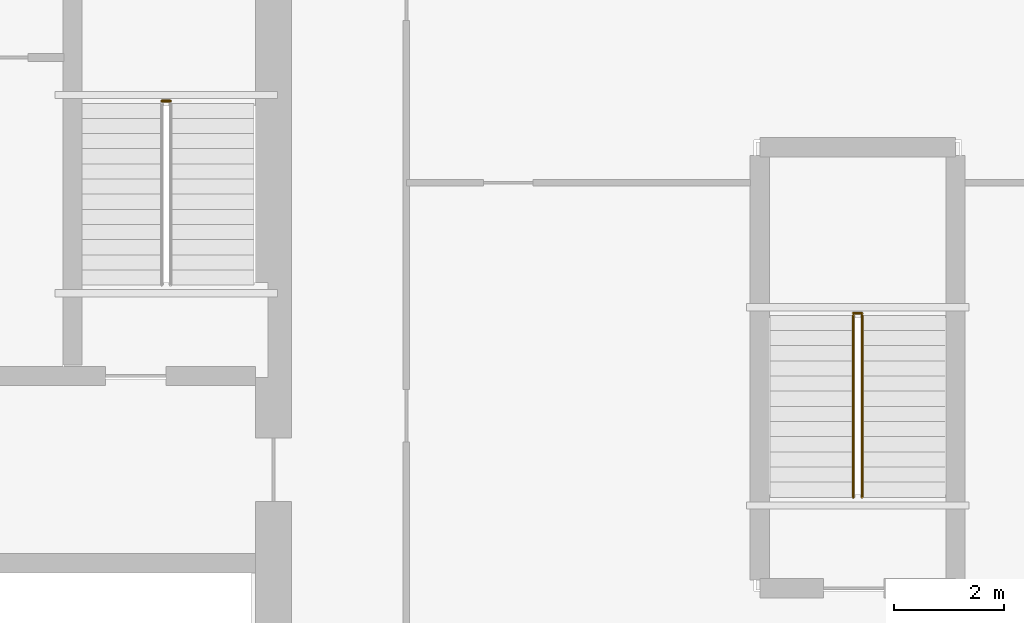
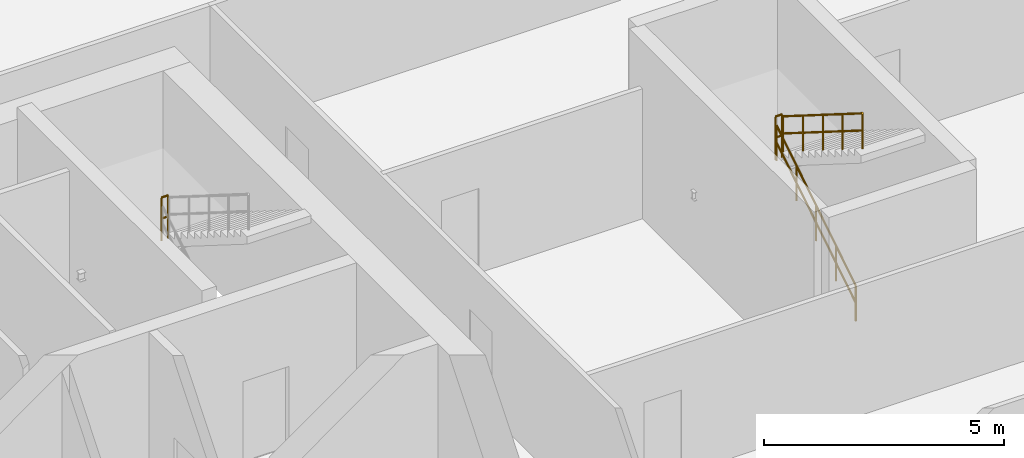
# One storey, part 10 of 10: 4 railings.
"""IFC4 building model written with IfcOpenShell, lengths in metres."""

from ifc_helpers import new_model, si_unit, direction, frame, origin, origin_2d, place, context, subcontext, project, spatial, circle, extrude, material, type_object, element, save


model = new_model("IFC4")

# Units and contexts
model_context = context("Model", 3, precision=1e-05, world=origin(), true_north=direction((0.0, 1.0)))
body_context = subcontext(model_context, "Body", "Model", "MODEL_VIEW")
ifc_project = project(units=[si_unit("LENGTHUNIT", "METRE"), si_unit("AREAUNIT", "SQUARE_METRE"), si_unit("VOLUMEUNIT", "CUBIC_METRE"), si_unit("PLANEANGLEUNIT", "RADIAN"), si_unit("MASSUNIT", "GRAM", prefix="KILO")], contexts=[model_context])

# Site, building, storey
site_placement = place(None, origin())
site = spatial("IfcSite", under=ifc_project, at=site_placement, CompositionType="ELEMENT")
building_placement = place(site_placement, origin())
building = spatial("IfcBuilding", under=site, at=building_placement, Name="Caelvoria Tower", CompositionType="ELEMENT")
storey_placement = place(building_placement, frame((0.0, 0.0, 14.0)))
storey = spatial("IfcBuildingStorey", under=building, at=storey_placement, Name="L03", CompositionType="ELEMENT", Elevation=14.0)

# Railings
ifc_material_1 = material(Name="Brushed Stainless Steel Tube", Category="steel")
railing_type_1 = type_object("IfcRailingType", Name="Stair Tubular Stainless Handrail 920", PredefinedType="HANDRAIL", material=ifc_material_1)
railing_1_placement = place(storey_placement, frame((65.52001953125, 29.60009765625, 0.173095703125)))
element("IfcRailing", 1, at=railing_1_placement, inside=storey, type_object=railing_type_1, Name="ST-04 Flight 1 Handrail L03", PredefinedType="HANDRAIL", context=body_context, shape_type="SweptSolid", body=[
    extrude(circle(Radius=0.02392578125, at=origin_2d()), frame((0.0, 0.0, 0.89599609375), z_axis=(0.0, 0.846319618018, 0.532675421018), x_axis=(-1.0, 0.0, 0.0)), (0.0, 0.0, 1.0), 3.89892578125),
    extrude(circle(Radius=0.02392578125, at=origin_2d()), frame((0.0, 0.0, 0.4599609375), z_axis=(0.0, 0.846319618018, 0.532675421018), x_axis=(-1.0, 0.0, 0.0)), (0.0, 0.0, 1.0), 3.89892578125),
    extrude(circle(Radius=0.02099609375, at=origin_2d()), origin(), (0.0, 0.0, 1.0), 0.871826171875),
    extrude(circle(Radius=0.02099609375, at=origin_2d()), frame((0.0, 0.824951171875, 0.519287109375)), (0.0, 0.0, 1.0), 0.871826171875),
    extrude(circle(Radius=0.02099609375, at=origin_2d()), frame((0.0, 1.64990234375, 1.03857421875)), (0.0, 0.0, 1.0), 0.871826171875),
    extrude(circle(Radius=0.02099609375, at=origin_2d()), frame((0.0, 2.474853515625, 1.5576171875)), (0.0, 0.0, 1.0), 0.871826171875),
    extrude(circle(Radius=0.02099609375, at=origin_2d()), frame((0.0, 3.2998046875, 2.076904296875)), (0.0, 0.0, 1.0), 0.871826171875),
])
railing_2_placement = place(storey_placement, frame((65.679931640625, 32.89990234375, 2.423095703125)))
element("IfcRailing", 2, at=railing_2_placement, inside=storey, type_object=railing_type_1, Name="ST-04 Flight 2 Handrail L03", PredefinedType="HANDRAIL", context=body_context, shape_type="SweptSolid", body=[
    extrude(circle(Radius=0.02392578125, at=origin_2d()), frame((0.0, 0.0, 0.89599609375), z_axis=(0.0, -0.846319618018, 0.532675421018), x_axis=(1.0, 0.0, 0.0)), (0.0, 0.0, 1.0), 3.89892578125),
    extrude(circle(Radius=0.02392578125, at=origin_2d()), frame((0.0, 0.0, 0.4599609375), z_axis=(0.0, -0.846319618018, 0.532675421018), x_axis=(1.0, 0.0, 0.0)), (0.0, 0.0, 1.0), 3.89892578125),
    extrude(circle(Radius=0.02099609375, at=origin_2d()), origin(), (0.0, 0.0, 1.0), 0.871826171875),
    extrude(circle(Radius=0.02099609375, at=origin_2d()), frame((0.0, -0.824951171875, 0.519287109375)), (0.0, 0.0, 1.0), 0.871826171875),
    extrude(circle(Radius=0.02099609375, at=origin_2d()), frame((0.0, -1.64990234375, 1.03857421875)), (0.0, 0.0, 1.0), 0.871826171875),
    extrude(circle(Radius=0.02099609375, at=origin_2d()), frame((0.0, -2.474853515625, 1.5576171875)), (0.0, 0.0, 1.0), 0.871826171875),
    extrude(circle(Radius=0.02099609375, at=origin_2d()), frame((0.0, -3.2998046875, 2.076904296875)), (0.0, 0.0, 1.0), 0.871826171875),
])
ifc_material_2 = material(Name="Brushed Stainless Steel Guardrail", Category="steel")
railing_type_2 = type_object("IfcRailingType", Name="Stair Well and Ramp Guardrail 1120", PredefinedType="GUARDRAIL", material=ifc_material_2)
for number, where, name in (
    (3, (52.969970703125, 36.7900390625, 2.25), "ST-02 Half-Landing Well Guard L03"),
    (4, (65.52001953125, 32.93994140625, 2.25), "ST-04 Half-Landing Well Guard L03"),
):
    element("IfcRailing", number, at=place(storey_placement, frame(where)), inside=storey, type_object=railing_type_2, Name=name, PredefinedType="GUARDRAIL", context=body_context, shape_type="SweptSolid", body=[
        extrude(circle(Radius=0.02392578125, at=origin_2d()), frame((0.0, 0.0, 1.09619140625), z_axis=(1.0, 0.0, 0.0), x_axis=(0.0, 1.0, 0.0)), (0.0, 0.0, 1.0), 0.159912109375),
        extrude(circle(Radius=0.02392578125, at=origin_2d()), frame((0.0, 0.0, 0.56005859375), z_axis=(1.0, 0.0, 0.0), x_axis=(0.0, 1.0, 0.0)), (0.0, 0.0, 1.0), 0.159912109375),
        extrude(circle(Radius=0.02099609375, at=origin_2d()), origin(), (0.0, 0.0, 1.0), 1.072021484375),
        extrude(circle(Radius=0.02099609375, at=origin_2d()), frame((0.159912109375, 0.0, 0.0)), (0.0, 0.0, 1.0), 1.072021484375),
    ])

save(model, "model.ifc")
